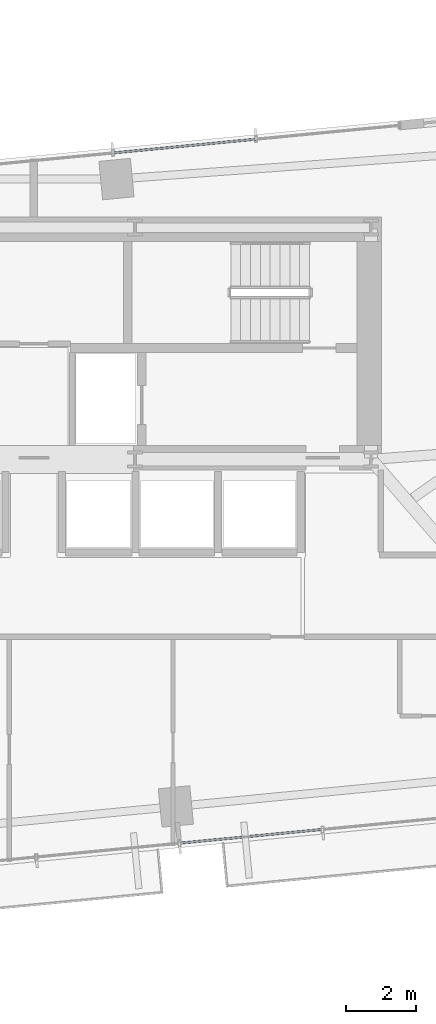
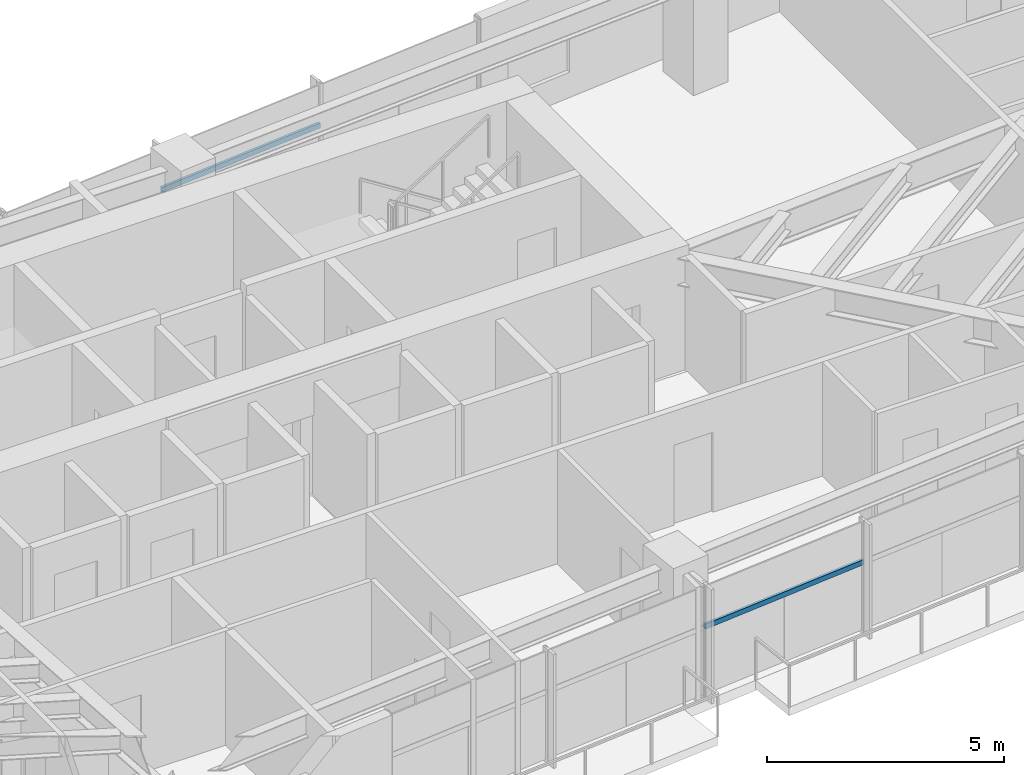
# One storey, part 11 of 25: 2 members, 2 elements without a shape of their own.
"""IFC4 building model written with IfcOpenShell, lengths in metres."""

from ifc_helpers import new_model, si_unit, direction, frame, origin, origin_2d, place, context, subcontext, project, spatial, hollow_rectangle, extrude, source, transform, mapped, material, material_profile, profile_set, type_object, type_shapes, element, aggregate, save


model = new_model("IFC4")

# Units and contexts
model_context = context("Model", 3, precision=1e-05, world=origin(), true_north=direction((0.0, 1.0)))
body_context = subcontext(model_context, "Body", "Model", "MODEL_VIEW")
ifc_project = project(units=[si_unit("LENGTHUNIT", "METRE"), si_unit("AREAUNIT", "SQUARE_METRE"), si_unit("VOLUMEUNIT", "CUBIC_METRE"), si_unit("PLANEANGLEUNIT", "RADIAN"), si_unit("MASSUNIT", "GRAM", prefix="KILO")], contexts=[model_context])

# Site, building, storey
site_placement = place(None, origin())
site = spatial("IfcSite", under=ifc_project, at=site_placement, CompositionType="ELEMENT")
building_placement = place(site_placement, origin())
building = spatial("IfcBuilding", under=site, at=building_placement, Name="Astriad Promenade Condominiums", CompositionType="ELEMENT")
storey_placement = place(building_placement, frame((0.0, 0.0, 81.0)))
storey = spatial("IfcBuildingStorey", under=building, at=storey_placement, Name="L22", CompositionType="ELEMENT", Elevation=81.0)

# Curtain wall, member
ifc_material_1 = material(Name="Anodised aluminium Black Dark Glass Unitised", Category="aluminium")
curtain_wall_type = type_object("IfcCurtainWallType", Name="CW-B2-DARK", PredefinedType="USERDEFINED", material=ifc_material_1)
curtain_wall_1_placement = place(storey_placement, origin())
curtain_wall_1 = element("IfcCurtainWall", 1, at=curtain_wall_1_placement, inside=storey, type_object=curtain_wall_type, Name="CW-L22-N", ObjectType="UNITISED_CURTAIN_WALL", PredefinedType="USERDEFINED")
ifc_material_2 = material(Name="Anodised aluminium 6063-T6 Black", Category="aluminium")
ifc_material_profile = material_profile(ifc_material_2, hollow_rectangle(XDim=0.06494140625, YDim=0.1298828125, WallThickness=0.00390625, at=origin_2d()), Name="ALU-TRN-65X130")
ifc_profile_set = profile_set([ifc_material_profile], Name="Anodised aluminium 6063-T6 Black")
member_type = type_object("IfcMemberType", Name="TRN-ALU-TRN-65X130", PredefinedType="USERDEFINED", material=ifc_profile_set)
shared_shape = source(origin(), body_context, "Body", "SweptSolid", [
    extrude(hollow_rectangle(XDim=0.06494140625, YDim=0.1298828125, WallThickness=0.00390625, at=origin_2d()), origin(), (0.0, 0.0, 1.0), 4.094970703125),
])
type_shapes(member_type, [shared_shape])
member_1_placement = place(storey_placement, frame((38.25390625, 26.12451171875, 1.82275390625), z_axis=(0.995394161585, 0.09586690296, 0.0), x_axis=(-0.09586690296, 0.995394161585, 0.0)))
member_1 = element("IfcMember", 2, at=member_1_placement, type_object=member_type, Name="CW-L22-N-TRN-02-0", ObjectType="TRANSOM", PredefinedType="USERDEFINED", context=body_context, shape_type="MappedRepresentation", body=[
    mapped(shared_shape, transform((0.0, 0.0, 0.0), scale=1.0)),
])
aggregate(curtain_wall_1, [member_1])

curtain_wall_2_placement = place(storey_placement, origin())
curtain_wall_2 = element("IfcCurtainWall", 3, at=curtain_wall_2_placement, inside=storey, type_object=curtain_wall_type, Name="CW-L22-S", ObjectType="UNITISED_CURTAIN_WALL", PredefinedType="USERDEFINED")
member_2_placement = place(storey_placement, frame((44.22216796875, 6.867919921875, 1.82275390625), z_axis=(-0.995394161585, -0.09586690296, 0.0), x_axis=(0.09586690296, -0.995394161585, 0.0)))
member_2 = element("IfcMember", 4, at=member_2_placement, type_object=member_type, Name="CW-L22-S-TRN-01-0", ObjectType="TRANSOM", PredefinedType="USERDEFINED", context=body_context, shape_type="MappedRepresentation", body=[
    mapped(shared_shape, transform((0.0, 0.0, 0.0), scale=1.0)),
])
aggregate(curtain_wall_2, [member_2])

save(model, "model.ifc")
